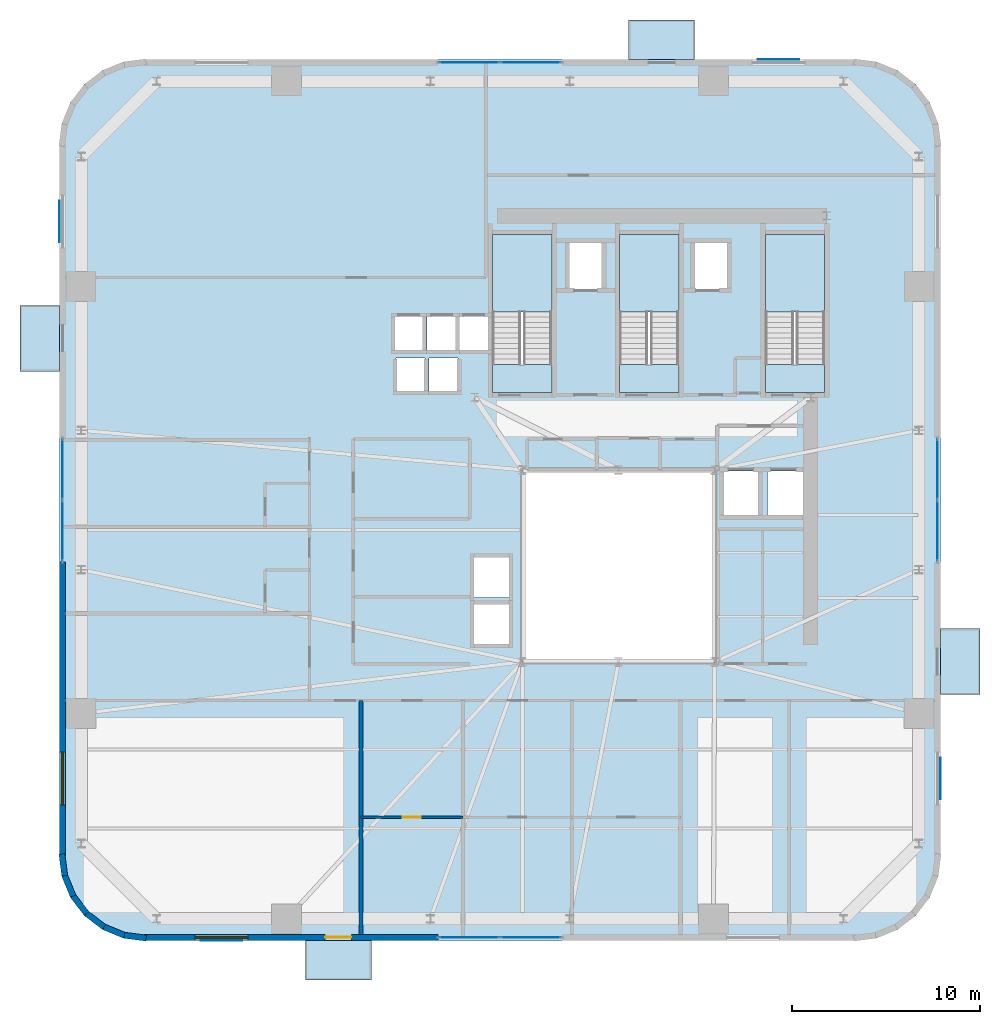
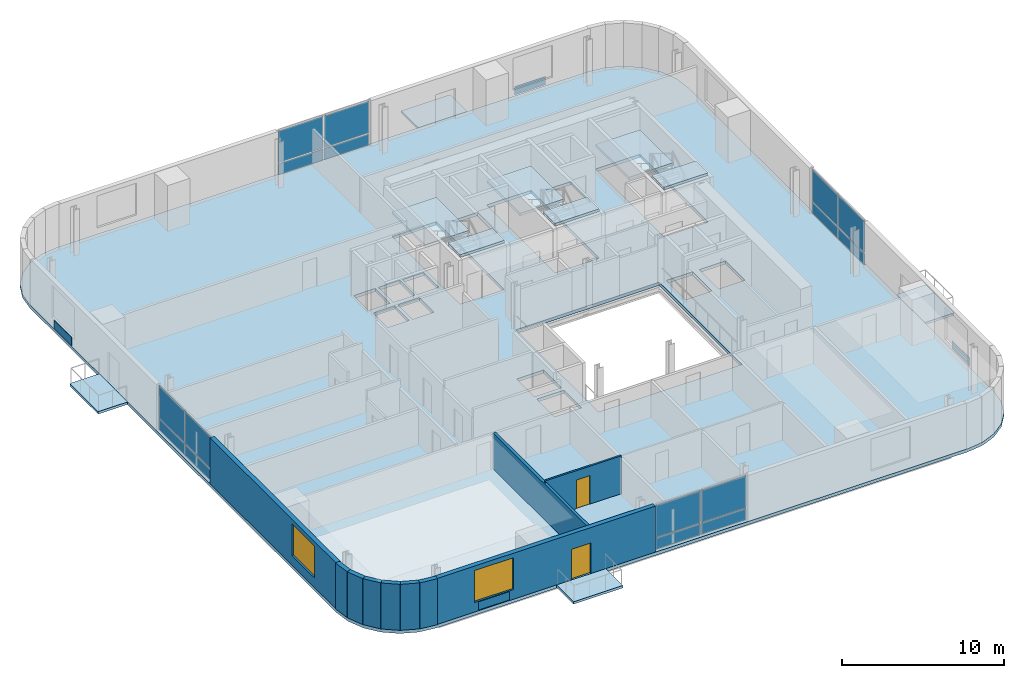
# One storey, part 5 of 14: 20 plates, 11 slabs, 10 walls, 2 doors, 2 windows, 4 openings, 7 elements without a shape of their own.
"""IFC4 building model written with IfcOpenShell, lengths in metres."""

from ifc_helpers import new_model, si_unit, direction, frame, frame_2d, origin, origin_2d, place, context, subcontext, project, spatial, polyline, rectangle, outline, extrude, source, transform, mapped, material, layer, layer_set, type_object, element, fill, aggregate, save


model = new_model("IFC4")

# Units and contexts
model_context = context("Model", 3, precision=1e-05, world=origin(), true_north=direction((0.0, 1.0)))
body_context = subcontext(model_context, "Body", "Model", "MODEL_VIEW")
ifc_project = project(units=[si_unit("LENGTHUNIT", "METRE"), si_unit("AREAUNIT", "SQUARE_METRE"), si_unit("VOLUMEUNIT", "CUBIC_METRE"), si_unit("PLANEANGLEUNIT", "RADIAN"), si_unit("MASSUNIT", "GRAM", prefix="KILO")], contexts=[model_context])

# Site, building, storey
site_placement = place(None, origin())
site = spatial("IfcSite", under=ifc_project, at=site_placement, CompositionType="ELEMENT")
building_placement = place(site_placement, origin())
building = spatial("IfcBuilding", under=site, at=building_placement, Name="Vardaveli Station Tower", CompositionType="ELEMENT")
storey_placement = place(building_placement, frame((0.0, 0.0, 148.300048828125)))
storey = spatial("IfcBuildingStorey", under=building, at=storey_placement, Name="L38", CompositionType="ELEMENT", Elevation=148.300048828125)

# Stair, slabs
ifc_material_1 = material(Name="Concrete C40/50", Category="concrete")
stair_type = type_object("IfcStairType", Name="STR-CORE-1500", PredefinedType="HALF_TURN_STAIR", material=ifc_material_1)
stair_1_placement = place(storey_placement, origin())
stair_1 = element("IfcStair", 1, at=stair_1_placement, inside=storey, type_object=stair_type, Name="L38 ST-1", PredefinedType="HALF_TURN_STAIR")
ifc_layer_1 = layer(ifc_material_1, 0.199951171875, Name="Concrete C40/50")
ifc_layer_set_1 = layer_set([ifc_layer_1], Name="Concrete C40/50")
slab_type_1 = type_object("IfcSlabType", Name="SLB-LAND-200", PredefinedType="LANDING", material=ifc_layer_set_1)
slab_1_placement = place(storey_placement, frame((0.0, 0.0, 1.64990234375)))
slab_1 = element("IfcSlab", 2, at=slab_1_placement, type_object=slab_type_1, Name="ST-1 landing 1", PredefinedType="LANDING", context=body_context, shape_type="SweptSolid", body=[
    extrude(outline(polyline([(32.75, 35.199951171875), (32.75, 39.300048828125), (29.60009765625, 39.300048828125), (29.60009765625, 35.199951171875), (32.75, 35.199951171875)])), origin(), (0.0, 0.0, 1.0), 0.199951171875),
])
slab_2_placement = place(storey_placement, frame((0.0, 0.0, 3.5)))
slab_2 = element("IfcSlab", 3, at=slab_2_placement, type_object=slab_type_1, Name="ST-1 landing 2", PredefinedType="LANDING", context=body_context, shape_type="SweptSolid", body=[
    extrude(outline(polyline([(32.75, 30.89990234375), (32.75, 32.39990234375), (29.60009765625, 32.39990234375), (29.60009765625, 30.89990234375), (32.75, 30.89990234375)])), origin(), (0.0, 0.0, 1.0), 0.199951171875),
])
aggregate(stair_1, [slab_1, slab_2])

stair_2_placement = place(storey_placement, origin())
stair_2 = element("IfcStair", 4, at=stair_2_placement, inside=storey, type_object=stair_type, Name="L38 ST-2", PredefinedType="HALF_TURN_STAIR")
slab_3_placement = place(storey_placement, frame((0.0, 0.0, 1.64990234375)))
slab_3 = element("IfcSlab", 5, at=slab_3_placement, type_object=slab_type_1, Name="ST-2 landing 1", PredefinedType="LANDING", context=body_context, shape_type="SweptSolid", body=[
    extrude(outline(polyline([(39.5, 35.199951171875), (39.5, 39.300048828125), (36.35009765625, 39.300048828125), (36.35009765625, 35.199951171875), (39.5, 35.199951171875)])), origin(), (0.0, 0.0, 1.0), 0.199951171875),
])
slab_4_placement = place(storey_placement, frame((0.0, 0.0, 3.5)))
slab_4 = element("IfcSlab", 6, at=slab_4_placement, type_object=slab_type_1, Name="ST-2 landing 2", PredefinedType="LANDING", context=body_context, shape_type="SweptSolid", body=[
    extrude(outline(polyline([(39.5, 30.89990234375), (39.5, 32.39990234375), (36.35009765625, 32.39990234375), (36.35009765625, 30.89990234375), (39.5, 30.89990234375)])), origin(), (0.0, 0.0, 1.0), 0.199951171875),
])
aggregate(stair_2, [slab_3, slab_4])

stair_3_placement = place(storey_placement, origin())
stair_3 = element("IfcStair", 7, at=stair_3_placement, inside=storey, type_object=stair_type, Name="L38 ST-3", PredefinedType="HALF_TURN_STAIR")
slab_5_placement = place(storey_placement, frame((0.0, 0.0, 1.64990234375)))
slab_5 = element("IfcSlab", 8, at=slab_5_placement, type_object=slab_type_1, Name="ST-3 landing 1", PredefinedType="LANDING", context=body_context, shape_type="SweptSolid", body=[
    extrude(outline(polyline([(47.25, 35.199951171875), (47.25, 39.300048828125), (44.10009765625, 39.300048828125), (44.10009765625, 35.199951171875), (47.25, 35.199951171875)])), origin(), (0.0, 0.0, 1.0), 0.199951171875),
])
slab_6_placement = place(storey_placement, frame((0.0, 0.0, 3.5)))
slab_6 = element("IfcSlab", 9, at=slab_6_placement, type_object=slab_type_1, Name="ST-3 landing 2", PredefinedType="LANDING", context=body_context, shape_type="SweptSolid", body=[
    extrude(outline(polyline([(47.25, 30.89990234375), (47.25, 32.39990234375), (44.10009765625, 32.39990234375), (44.10009765625, 30.89990234375), (47.25, 30.89990234375)])), origin(), (0.0, 0.0, 1.0), 0.199951171875),
])
aggregate(stair_3, [slab_5, slab_6])

# Slabs
ifc_material_2 = material(Name="Precast concrete C45/55", Category="concrete")
ifc_layer_2 = layer(ifc_material_2, 0.179931640625, Name="Precast concrete C45/55")
ifc_layer_set_2 = layer_set([ifc_layer_2], Name="Precast concrete C45/55")
slab_type_2 = type_object("IfcSlabType", Name="SLB-LOGGIA-180", PredefinedType="FLOOR", material=ifc_layer_set_2)
slab_7_placement = place(storey_placement, frame((0.0, 0.0, -0.179931640625)))
element("IfcSlab", 10, at=slab_7_placement, inside=storey, type_object=slab_type_2, Name="LOG-L38-S", PredefinedType="FLOOR", context=body_context, shape_type="SweptSolid", body=[
    extrude(outline(polyline([(19.660400390625, -0.300048828125), (23.160400390625, -0.300048828125), (23.160400390625, 1.800048828125), (19.660400390625, 1.800048828125), (19.660400390625, -0.300048828125)])), origin(), (0.0, 0.0, 1.0), 0.179931640625),
])
slab_8_placement = place(storey_placement, frame((0.0, 0.0, -0.179931640625)))
element("IfcSlab", 11, at=slab_8_placement, inside=storey, type_object=slab_type_2, Name="LOG-L38-N", PredefinedType="FLOOR", context=body_context, shape_type="SweptSolid", body=[
    extrude(outline(polyline([(36.839599609375, 48.60009765625), (40.339599609375, 48.60009765625), (40.339599609375, 50.699951171875), (36.839599609375, 50.699951171875), (36.839599609375, 48.60009765625)])), origin(), (0.0, 0.0, 1.0), 0.179931640625),
])
slab_9_placement = place(storey_placement, frame((0.0, 0.0, -0.179931640625)))
element("IfcSlab", 12, at=slab_9_placement, inside=storey, type_object=slab_type_2, Name="LOG-L38-W", PredefinedType="FLOOR", context=body_context, shape_type="SweptSolid", body=[
    extrude(outline(polyline([(4.5, 32.03955078125), (6.60009765625, 32.03955078125), (6.60009765625, 35.53955078125), (4.5, 35.53955078125), (4.5, 32.03955078125)])), origin(), (0.0, 0.0, 1.0), 0.179931640625),
])
slab_10_placement = place(storey_placement, frame((0.0, 0.0, -0.179931640625)))
element("IfcSlab", 13, at=slab_10_placement, inside=storey, type_object=slab_type_2, Name="LOG-L38-E", PredefinedType="FLOOR", context=body_context, shape_type="SweptSolid", body=[
    extrude(outline(polyline([(53.39990234375, 14.8603515625), (55.5, 14.8603515625), (55.5, 18.3603515625), (53.39990234375, 18.3603515625), (53.39990234375, 14.8603515625)])), origin(), (0.0, 0.0, 1.0), 0.179931640625),
])
ifc_layer_3 = layer(ifc_material_1, 0.239990234375, Name="Concrete C40/50")
ifc_layer_set_3 = layer_set([ifc_layer_3], Name="Concrete C40/50")
slab_type_3 = type_object("IfcSlabType", Name="SLB-TOW-240", PredefinedType="FLOOR", material=ifc_layer_set_3)
slab_11_placement = place(storey_placement, frame((0.0, 0.0, -0.239990234375)))
element("IfcSlab", 14, at=slab_11_placement, inside=storey, type_object=slab_type_3, Name="SLB-L38-MAIN", PredefinedType="FLOOR", context=body_context, shape_type="SweptSolid", body=[
    extrude(outline(polyline([(6.60009765625, 6.300048828125), (6.75341796875, 5.13525390625), (7.202880859375, 4.050048828125), (7.91796875, 3.117919921875), (8.85009765625, 2.40283203125), (9.935302734375, 1.953369140625), (11.10009765625, 1.800048828125), (48.89990234375, 1.800048828125), (50.064697265625, 1.953369140625), (51.14990234375, 2.40283203125), (52.08203125, 3.117919921875), (52.797119140625, 4.050048828125), (53.24658203125, 5.13525390625), (53.39990234375, 6.300048828125), (53.39990234375, 44.10009765625), (53.24658203125, 45.2646484375), (52.797119140625, 46.35009765625), (52.08203125, 47.281982421875), (51.14990234375, 47.9970703125), (50.064697265625, 48.44677734375), (48.89990234375, 48.60009765625), (11.10009765625, 48.60009765625), (9.935302734375, 48.44677734375), (8.85009765625, 47.9970703125), (7.91796875, 47.281982421875), (7.202880859375, 46.35009765625), (6.75341796875, 45.2646484375), (6.60009765625, 44.10009765625), (6.60009765625, 6.300048828125)]), holes=[polyline([(31.199951171875, 16.60009765625), (41.39990234375, 16.60009765625), (41.39990234375, 26.800048828125), (31.199951171875, 26.800048828125), (31.199951171875, 16.60009765625)]), polyline([(32.75, 30.89990234375), (32.75, 39.300048828125), (29.60009765625, 39.300048828125), (29.60009765625, 30.89990234375), (32.75, 30.89990234375)]), polyline([(39.5, 30.89990234375), (39.5, 39.300048828125), (36.35009765625, 39.300048828125), (36.35009765625, 30.89990234375), (39.5, 30.89990234375)]), polyline([(47.25, 30.89990234375), (47.25, 39.300048828125), (44.10009765625, 39.300048828125), (44.10009765625, 30.89990234375), (47.25, 30.89990234375)]), polyline([(24.385009765625, 33.135009765625), (25.9150390625, 33.135009765625), (25.9150390625, 34.965087890625), (24.385009765625, 34.965087890625), (24.385009765625, 33.135009765625)]), polyline([(26.135009765625, 33.135009765625), (27.6650390625, 33.135009765625), (27.6650390625, 34.965087890625), (26.135009765625, 34.965087890625), (26.135009765625, 33.135009765625)]), polyline([(27.8349609375, 33.135009765625), (29.364990234375, 33.135009765625), (29.364990234375, 34.965087890625), (27.8349609375, 34.965087890625), (27.8349609375, 33.135009765625)]), polyline([(33.659912109375, 36.409912109375), (35.43994140625, 36.409912109375), (35.43994140625, 38.889892578125), (33.659912109375, 38.889892578125), (33.659912109375, 36.409912109375)]), polyline([(40.31005859375, 36.409912109375), (42.090087890625, 36.409912109375), (42.090087890625, 38.889892578125), (40.31005859375, 38.889892578125), (40.31005859375, 36.409912109375)]), polyline([(24.485107421875, 30.9599609375), (26.014892578125, 30.9599609375), (26.014892578125, 32.739990234375), (24.485107421875, 32.739990234375), (24.485107421875, 30.9599609375)]), polyline([(26.235107421875, 30.9599609375), (27.764892578125, 30.9599609375), (27.764892578125, 32.739990234375), (26.235107421875, 32.739990234375), (26.235107421875, 30.9599609375)]), polyline([(28.5849609375, 17.510009765625), (30.514892578125, 17.510009765625), (30.514892578125, 19.68994140625), (28.5849609375, 19.68994140625), (28.5849609375, 17.510009765625)]), polyline([(28.5849609375, 20.010009765625), (30.514892578125, 20.010009765625), (30.514892578125, 22.18994140625), (28.5849609375, 22.18994140625), (28.5849609375, 20.010009765625)]), polyline([(41.860107421875, 24.360107421875), (43.739990234375, 24.360107421875), (43.739990234375, 26.739990234375), (41.860107421875, 26.739990234375), (41.860107421875, 24.360107421875)]), polyline([(44.2099609375, 24.360107421875), (46.090087890625, 24.360107421875), (46.090087890625, 26.739990234375), (44.2099609375, 26.739990234375), (44.2099609375, 24.360107421875)])]), origin(), (0.0, 0.0, 1.0), 0.239990234375),
])

# Curtain wall, plates
ifc_material_3 = material(Name="Travertine stone and solar-control glass", Category="masonry")
curtain_wall_type = type_object("IfcCurtainWallType", Name="CW-SYS-2", PredefinedType="NOTDEFINED", material=ifc_material_3)
curtain_wall_1_placement = place(storey_placement, origin())
curtain_wall_1 = element("IfcCurtainWall", 15, at=curtain_wall_1_placement, inside=storey, type_object=curtain_wall_type, Name="CW-L38-S", PredefinedType="NOTDEFINED")
ifc_material_4 = material(Name="Double-glazed low-E solar-control glass", Category="glass")
ifc_layer_4 = layer(ifc_material_4, 0.035888671875, Name="Double-glazed low-E solar-control glass")
ifc_layer_set_4 = layer_set([ifc_layer_4], Name="Double-glazed low-E solar-control glass")
plate_type_1 = type_object("IfcPlateType", Name="CW-SYS-2-PAN", PredefinedType="CURTAIN_PANEL", material=ifc_layer_set_4)
shared_shape_1 = source(origin(), body_context, "Body", "SweptSolid", [
    extrude(rectangle(XDim=3.172607421875, YDim=0.035888671875, at=origin_2d()), origin(), (0.0, 0.0, 1.0), 0.822509765625),
])
plate_1_placement = place(storey_placement, frame((28.371337890625, 1.9599609375, 0.0849609375), z_axis=(0.0, 0.0, 1.0), x_axis=(1.0, 0.0, 0.0)))
plate_1 = element("IfcPlate", 16, at=plate_1_placement, type_object=plate_type_1, Name="CW-2 panel 1.1", PredefinedType="CURTAIN_PANEL", context=body_context, shape_type="MappedRepresentation", body=[
    mapped(shared_shape_1, transform((0.0, 0.0, 0.0), scale=1.0)),
])
plate_2_placement = place(storey_placement, frame((31.628662109375, 1.9599609375, 0.0849609375), z_axis=(0.0, 0.0, 1.0), x_axis=(1.0, 0.0, 0.0)))
plate_2 = element("IfcPlate", 17, at=plate_2_placement, type_object=plate_type_1, Name="CW-2 panel 2.1", PredefinedType="CURTAIN_PANEL", context=body_context, shape_type="MappedRepresentation", body=[
    mapped(shared_shape_1, transform((0.0, 0.0, 0.0), scale=1.0)),
])

curtain_wall_2_placement = place(storey_placement, origin())
curtain_wall_2 = element("IfcCurtainWall", 18, at=curtain_wall_2_placement, inside=storey, type_object=curtain_wall_type, Name="CW-L38-N", PredefinedType="NOTDEFINED")
plate_3_placement = place(storey_placement, frame((31.628662109375, 48.43994140625, 0.0849609375), z_axis=(0.0, 0.0, 1.0), x_axis=(-1.0, 0.0, 0.0)))
plate_3 = element("IfcPlate", 19, at=plate_3_placement, type_object=plate_type_1, Name="CW-2 panel 1.1", PredefinedType="CURTAIN_PANEL", context=body_context, shape_type="MappedRepresentation", body=[
    mapped(shared_shape_1, transform((0.0, 0.0, 0.0), scale=1.0)),
])
plate_4_placement = place(storey_placement, frame((28.371337890625, 48.43994140625, 0.0849609375), z_axis=(0.0, 0.0, 1.0), x_axis=(-1.0, 0.0, 0.0)))
plate_4 = element("IfcPlate", 20, at=plate_4_placement, type_object=plate_type_1, Name="CW-2 panel 2.1", PredefinedType="CURTAIN_PANEL", context=body_context, shape_type="MappedRepresentation", body=[
    mapped(shared_shape_1, transform((0.0, 0.0, 0.0), scale=1.0)),
])

curtain_wall_3_placement = place(storey_placement, origin())
curtain_wall_3 = element("IfcCurtainWall", 21, at=curtain_wall_3_placement, inside=storey, type_object=curtain_wall_type, Name="CW-L38-W", PredefinedType="NOTDEFINED")
plate_5_placement = place(storey_placement, frame((6.760009765625, 26.828857421875, 0.0849609375), z_axis=(0.0, 0.0, 1.0), x_axis=(0.0, -1.0, 0.0)))
plate_5 = element("IfcPlate", 22, at=plate_5_placement, type_object=plate_type_1, Name="CW-2 panel 1.1", PredefinedType="CURTAIN_PANEL", context=body_context, shape_type="MappedRepresentation", body=[
    mapped(shared_shape_1, transform((0.0, 0.0, 0.0), scale=1.0)),
])
plate_6_placement = place(storey_placement, frame((6.760009765625, 23.5712890625, 0.0849609375), z_axis=(0.0, 0.0, 1.0), x_axis=(0.0, -1.0, 0.0)))
plate_6 = element("IfcPlate", 23, at=plate_6_placement, type_object=plate_type_1, Name="CW-2 panel 2.1", PredefinedType="CURTAIN_PANEL", context=body_context, shape_type="MappedRepresentation", body=[
    mapped(shared_shape_1, transform((0.0, 0.0, 0.0), scale=1.0)),
])

curtain_wall_4_placement = place(storey_placement, origin())
curtain_wall_4 = element("IfcCurtainWall", 24, at=curtain_wall_4_placement, inside=storey, type_object=curtain_wall_type, Name="CW-L38-E", PredefinedType="NOTDEFINED")
plate_7_placement = place(storey_placement, frame((53.239990234375, 23.5712890625, 0.0849609375), z_axis=(0.0, 0.0, 1.0), x_axis=(0.0, 1.0, 0.0)))
plate_7 = element("IfcPlate", 25, at=plate_7_placement, type_object=plate_type_1, Name="CW-2 panel 1.1", PredefinedType="CURTAIN_PANEL", context=body_context, shape_type="MappedRepresentation", body=[
    mapped(shared_shape_1, transform((0.0, 0.0, 0.0), scale=1.0)),
])
plate_8_placement = place(storey_placement, frame((53.239990234375, 26.828857421875, 0.0849609375), z_axis=(0.0, 0.0, 1.0), x_axis=(0.0, 1.0, 0.0)))
plate_8 = element("IfcPlate", 26, at=plate_8_placement, type_object=plate_type_1, Name="CW-2 panel 2.1", PredefinedType="CURTAIN_PANEL", context=body_context, shape_type="MappedRepresentation", body=[
    mapped(shared_shape_1, transform((0.0, 0.0, 0.0), scale=1.0)),
])

# Plates
ifc_material_5 = material(Name="Honed Caucasian travertine stone", Category="masonry")
ifc_layer_5 = layer(ifc_material_5, 0.034912109375, Name="Honed Caucasian travertine stone")
ifc_layer_set_5 = layer_set([ifc_layer_5], Name="Honed Caucasian travertine stone")
plate_type_2 = type_object("IfcPlateType", Name="PLT-TRAV-35", PredefinedType="SHEET", material=ifc_layer_set_5)
shared_shape_2 = source(origin(), body_context, "Body", "SweptSolid", [
    extrude(rectangle(XDim=2.199951171875, YDim=0.034912109375, at=origin_2d()), origin(), (0.0, 0.0, 1.0), 0.6201171875),
])
for number, where, z_axis, x_axis, name in (
    (27, (15.205078125, 1.79052734375, 0.06982421875), (0.0, 0.0, 1.0), (1.0, 0.0, 0.0), "PLT-TR-L38-S"),
    (28, (44.794921875, 48.609619140625, 0.06982421875), (0.0, 0.0, 1.0), (1.0, 0.0, 0.0), "PLT-TR-L38-N"),
    (29, (6.590576171875, 39.9951171875, 0.06982421875), (0.0, 0.0, 1.0), (0.0, 1.0, 0.0), "PLT-TR-L38-W"),
    (30, (53.409423828125, 10.405029296875, 0.06982421875), (0.0, 0.0, 1.0), (0.0, 1.0, 0.0), "PLT-TR-L38-E"),
):
    element("IfcPlate", number, at=place(storey_placement, frame(where, z_axis=z_axis, x_axis=x_axis)), inside=storey, type_object=plate_type_2, Name=name, PredefinedType="SHEET", context=body_context, shape_type="MappedRepresentation", body=[
        mapped(shared_shape_2, transform((0.0, 0.0, 0.0), scale=1.0)),
    ])

# Plate
shared_shape_3 = source(origin(), body_context, "Body", "SweptSolid", [
    extrude(rectangle(XDim=3.172607421875, YDim=0.035888671875, at=origin_2d()), origin(), (0.0, 0.0, 1.0), 2.382568359375),
])
plate_9_placement = place(storey_placement, frame((28.371337890625, 1.9599609375, 0.9921875), z_axis=(0.0, 0.0, 1.0), x_axis=(1.0, 0.0, 0.0)))
plate_9 = element("IfcPlate", 31, at=plate_9_placement, type_object=plate_type_1, Name="CW-2 panel 1.2", PredefinedType="CURTAIN_PANEL", context=body_context, shape_type="MappedRepresentation", body=[
    mapped(shared_shape_3, transform((0.0, 0.0, 0.0), scale=1.0)),
])

plate_10_placement = place(storey_placement, frame((31.628662109375, 1.9599609375, 0.9921875), z_axis=(0.0, 0.0, 1.0), x_axis=(1.0, 0.0, 0.0)))
plate_10 = element("IfcPlate", 32, at=plate_10_placement, type_object=plate_type_1, Name="CW-2 panel 2.2", PredefinedType="CURTAIN_PANEL", context=body_context, shape_type="MappedRepresentation", body=[
    mapped(shared_shape_3, transform((0.0, 0.0, 0.0), scale=1.0)),
])

aggregate(curtain_wall_1, [plate_1, plate_9, plate_2, plate_10])

plate_11_placement = place(storey_placement, frame((31.628662109375, 48.43994140625, 0.9921875), z_axis=(0.0, 0.0, 1.0), x_axis=(-1.0, 0.0, 0.0)))
plate_11 = element("IfcPlate", 33, at=plate_11_placement, type_object=plate_type_1, Name="CW-2 panel 1.2", PredefinedType="CURTAIN_PANEL", context=body_context, shape_type="MappedRepresentation", body=[
    mapped(shared_shape_3, transform((0.0, 0.0, 0.0), scale=1.0)),
])

plate_12_placement = place(storey_placement, frame((28.371337890625, 48.43994140625, 0.9921875), z_axis=(0.0, 0.0, 1.0), x_axis=(-1.0, 0.0, 0.0)))
plate_12 = element("IfcPlate", 34, at=plate_12_placement, type_object=plate_type_1, Name="CW-2 panel 2.2", PredefinedType="CURTAIN_PANEL", context=body_context, shape_type="MappedRepresentation", body=[
    mapped(shared_shape_3, transform((0.0, 0.0, 0.0), scale=1.0)),
])

aggregate(curtain_wall_2, [plate_3, plate_11, plate_4, plate_12])

plate_13_placement = place(storey_placement, frame((6.760009765625, 26.828857421875, 0.9921875), z_axis=(0.0, 0.0, 1.0), x_axis=(0.0, -1.0, 0.0)))
plate_13 = element("IfcPlate", 35, at=plate_13_placement, type_object=plate_type_1, Name="CW-2 panel 1.2", PredefinedType="CURTAIN_PANEL", context=body_context, shape_type="MappedRepresentation", body=[
    mapped(shared_shape_3, transform((0.0, 0.0, 0.0), scale=1.0)),
])

plate_14_placement = place(storey_placement, frame((6.760009765625, 23.5712890625, 0.9921875), z_axis=(0.0, 0.0, 1.0), x_axis=(0.0, -1.0, 0.0)))
plate_14 = element("IfcPlate", 36, at=plate_14_placement, type_object=plate_type_1, Name="CW-2 panel 2.2", PredefinedType="CURTAIN_PANEL", context=body_context, shape_type="MappedRepresentation", body=[
    mapped(shared_shape_3, transform((0.0, 0.0, 0.0), scale=1.0)),
])

aggregate(curtain_wall_3, [plate_5, plate_13, plate_6, plate_14])

plate_15_placement = place(storey_placement, frame((53.239990234375, 23.5712890625, 0.9921875), z_axis=(0.0, 0.0, 1.0), x_axis=(0.0, 1.0, 0.0)))
plate_15 = element("IfcPlate", 37, at=plate_15_placement, type_object=plate_type_1, Name="CW-2 panel 1.2", PredefinedType="CURTAIN_PANEL", context=body_context, shape_type="MappedRepresentation", body=[
    mapped(shared_shape_3, transform((0.0, 0.0, 0.0), scale=1.0)),
])

plate_16_placement = place(storey_placement, frame((53.239990234375, 26.828857421875, 0.9921875), z_axis=(0.0, 0.0, 1.0), x_axis=(0.0, 1.0, 0.0)))
plate_16 = element("IfcPlate", 38, at=plate_16_placement, type_object=plate_type_1, Name="CW-2 panel 2.2", PredefinedType="CURTAIN_PANEL", context=body_context, shape_type="MappedRepresentation", body=[
    mapped(shared_shape_3, transform((0.0, 0.0, 0.0), scale=1.0)),
])

aggregate(curtain_wall_4, [plate_7, plate_15, plate_8, plate_16])

# Wall, openings, door, window
ifc_layer_6 = layer(ifc_material_2, 0.320068359375, Name="Precast concrete C45/55")
ifc_layer_set_6 = layer_set([ifc_layer_6], Name="Precast concrete C45/55")
wall_type_1 = type_object("IfcWallType", Name="WAL-EXT-STONE-320", PredefinedType="SOLIDWALL", material=ifc_layer_set_6)
shared_shape_4 = source(origin(), body_context, "Body", "SweptSolid", [
    extrude(rectangle(XDim=15.599853515625, YDim=0.320068359375, at=frame_2d((7.7998046875, 0.0))), origin(), (0.0, 0.0, 1.0), 3.4599609375),
])
wall_1_placement = place(storey_placement, frame((11.10009765625, 1.9599609375, 0.0), z_axis=(0.0, 0.0, 1.0), x_axis=(1.0, 0.0, 0.0)))
wall_1 = element("IfcWall", 39, at=wall_1_placement, inside=storey, type_object=wall_type_1, Name="EW-L38-S1", PredefinedType="SOLIDWALL", context=body_context, shape_type="MappedRepresentation", body=[
    mapped(shared_shape_4, transform((0.0, 0.0, 0.0), scale=1.0)),
])
shared_shape_5 = source(origin(), body_context, "Body", "SweptSolid", [
    extrude(rectangle(XDim=1.39990234375, YDim=2.300048828125, at=frame_2d((0.699951171875, 1.14990234375))), frame((0.0, 0.169921875, 0.0), z_axis=(0.0, -1.0, 0.0), x_axis=(1.0, 0.0, 0.0)), (0.0, 0.0, 1.0), 0.340087890625),
])
opening_1_placement = place(wall_1_placement, frame((9.6103515625, 0.0, 0.0)))
opening_1 = element("IfcOpeningElement", 40, at=opening_1_placement, cuts=wall_1, Name="Opening D-09", PredefinedType="OPENING", context=body_context, shape_type="MappedRepresentation", body=[
    mapped(shared_shape_5, transform((0.0, 0.0, 0.0), scale=1.0)),
])
shared_shape_6 = source(origin(), body_context, "Body", "SweptSolid", [
    extrude(rectangle(XDim=2.800048828125, YDim=2.39990234375, at=frame_2d((1.39990234375, 1.199951171875))), frame((0.0, 0.169921875, 0.0), z_axis=(0.0, -1.0, 0.0), x_axis=(1.0, 0.0, 0.0)), (0.0, 0.0, 1.0), 0.340087890625),
])
opening_2_placement = place(wall_1_placement, frame((2.705078125, 0.0, 0.719970703125)))
opening_2 = element("IfcOpeningElement", 41, at=opening_2_placement, cuts=wall_1, Name="Opening W-04", PredefinedType="OPENING", context=body_context, shape_type="MappedRepresentation", body=[
    mapped(shared_shape_6, transform((0.0, 0.0, 0.0), scale=1.0)),
])
ifc_material_6 = material(Name="Thermally broken aluminium glass", Category="aluminium")
door_type_1 = type_object("IfcDoorType", Name="DR-LOG-1400x2300", OperationType="DOUBLE_DOOR_SLIDING", PredefinedType="DOOR", material=ifc_material_6)
shared_shape_7 = source(origin(), body_context, "Body", "SweptSolid", [
    extrude(rectangle(XDim=1.39990234375, YDim=2.300048828125, at=frame_2d((0.699951171875, 1.14990234375))), frame((0.0, 0.02490234375, 0.0), z_axis=(0.0, -1.0, 0.0), x_axis=(1.0, 0.0, 0.0)), (0.0, 0.0, 1.0), 0.050048828125),
])
door_1_placement = place(opening_1_placement, frame((1.39990234375, 0.0, 0.0), z_axis=(0.0, 0.0, 1.0), x_axis=(-1.0, 0.0, 0.0)))
door_1 = element("IfcDoor", 42, at=door_1_placement, inside=storey, type_object=door_type_1, Name="DLG-L38-S", OperationType="DOUBLE_DOOR_SLIDING", OverallHeight=2.300048828125, OverallWidth=1.39990234375, PredefinedType="DOOR", context=body_context, shape_type="MappedRepresentation", body=[
    mapped(shared_shape_7, transform((0.0, 0.0, 0.0), scale=1.0)),
])
fill(opening_1, door_1)
ifc_material_7 = material(Name="Low-E solar-control glass", Category="glass")
window_type = type_object("IfcWindowType", Name="WIN-SUITE-2800x2400", PartitioningType="SINGLE_PANEL", PredefinedType="WINDOW", material=ifc_material_7)
shared_shape_8 = source(origin(), body_context, "Body", "SweptSolid", [
    extrude(rectangle(XDim=2.800048828125, YDim=2.39990234375, at=frame_2d((1.39990234375, 1.199951171875))), frame((0.0, 0.030029296875, 0.0), z_axis=(0.0, -1.0, 0.0), x_axis=(1.0, 0.0, 0.0)), (0.0, 0.0, 1.0), 0.06005859375),
])
window_1_placement = place(opening_2_placement, origin())
window_1 = element("IfcWindow", 43, at=window_1_placement, inside=storey, type_object=window_type, Name="WN-L38-S1", OverallHeight=2.39990234375, OverallWidth=2.800048828125, PartitioningType="SINGLE_PANEL", PredefinedType="WINDOW", context=body_context, shape_type="MappedRepresentation", body=[
    mapped(shared_shape_8, transform((0.0, 0.0, 0.0), scale=1.0)),
])
fill(opening_2, window_1)

# Wall, opening, window
wall_2_placement = place(storey_placement, frame((6.760009765625, 21.89990234375, 0.0), z_axis=(0.0, 0.0, 1.0), x_axis=(0.0, -1.0, 0.0)))
wall_2 = element("IfcWall", 44, at=wall_2_placement, inside=storey, type_object=wall_type_1, Name="EW-L38-W2", PredefinedType="SOLIDWALL", context=body_context, shape_type="MappedRepresentation", body=[
    mapped(shared_shape_4, transform((0.0, 0.0, 0.0), scale=1.0)),
])
opening_3_placement = place(wall_2_placement, frame((10.094970703125, 0.0, 0.719970703125)))
opening_3 = element("IfcOpeningElement", 45, at=opening_3_placement, cuts=wall_2, Name="Opening W-04", PredefinedType="OPENING", context=body_context, shape_type="MappedRepresentation", body=[
    mapped(shared_shape_6, transform((0.0, 0.0, 0.0), scale=1.0)),
])
window_2_placement = place(opening_3_placement, origin())
window_2 = element("IfcWindow", 46, at=window_2_placement, inside=storey, type_object=window_type, Name="WN-L38-W2", OverallHeight=2.39990234375, OverallWidth=2.800048828125, PartitioningType="SINGLE_PANEL", PredefinedType="WINDOW", context=body_context, shape_type="MappedRepresentation", body=[
    mapped(shared_shape_8, transform((0.0, 0.0, 0.0), scale=1.0)),
])
fill(opening_3, window_2)

# Walls
shared_shape_9 = source(origin(), body_context, "Body", "SweptSolid", [
    extrude(rectangle(XDim=1.170654296875, YDim=0.320068359375, at=frame_2d((0.58544921875, 0.0))), origin(), (0.0, 0.0, 1.0), 3.4599609375),
])
wall_3_placement = place(storey_placement, frame((6.724365234375, 6.400634765625, 0.0), z_axis=(0.0, 0.0, 1.0), x_axis=(0.128269133229, -0.991739395941, 0.0)))
element("IfcWall", 47, at=wall_3_placement, inside=storey, type_object=wall_type_1, Name="EW-L38-CR1-1", PredefinedType="SOLIDWALL", context=body_context, shape_type="MappedRepresentation", body=[
    mapped(shared_shape_9, transform((0.0, 0.0, 0.0), scale=1.0)),
])
shared_shape_10 = source(origin(), body_context, "Body", "SweptSolid", [
    extrude(rectangle(XDim=1.1689453125, YDim=0.320068359375, at=frame_2d((0.58447265625, 0.0))), origin(), (0.0, 0.0, 1.0), 3.4599609375),
])
for number, where, z_axis, x_axis, name in (
    (48, (6.87451171875, 5.23974609375, 0.0), (0.0, 0.0, 1.0), (0.381127904695, -0.924522320046, 0.0), "EW-L38-CR1-2"),
    (49, (7.320068359375, 4.158935546875, 0.0), (0.0, 0.0, 1.0), (0.608387696831, -0.793639975269, 0.0), "EW-L38-CR1-3"),
):
    element("IfcWall", number, at=place(storey_placement, frame(where, z_axis=z_axis, x_axis=x_axis)), inside=storey, type_object=wall_type_1, Name=name, PredefinedType="SOLIDWALL", context=body_context, shape_type="MappedRepresentation", body=[
        mapped(shared_shape_10, transform((0.0, 0.0, 0.0), scale=1.0)),
    ])
shared_shape_11 = source(origin(), body_context, "Body", "SweptSolid", [
    extrude(rectangle(XDim=1.168701171875, YDim=0.320068359375, at=frame_2d((0.58447265625, 0.0))), origin(), (0.0, 0.0, 1.0), 3.4599609375),
])
wall_4_placement = place(storey_placement, frame((8.03125, 3.231201171875, 0.0), z_axis=(0.0, 0.0, 1.0), x_axis=(0.793663520347, -0.608356981114, 0.0)))
element("IfcWall", 50, at=wall_4_placement, inside=storey, type_object=wall_type_1, Name="EW-L38-CR1-4", PredefinedType="SOLIDWALL", context=body_context, shape_type="MappedRepresentation", body=[
    mapped(shared_shape_11, transform((0.0, 0.0, 0.0), scale=1.0)),
])
shared_shape_12 = source(origin(), body_context, "Body", "SweptSolid", [
    extrude(rectangle(XDim=1.16943359375, YDim=0.320068359375, at=frame_2d((0.584716796875, 0.0))), origin(), (0.0, 0.0, 1.0), 3.4599609375),
])
wall_5_placement = place(storey_placement, frame((8.958740234375, 2.520263671875, 0.0), z_axis=(0.0, 0.0, 1.0), x_axis=(0.924479075121, -0.381232789334, 0.0)))
element("IfcWall", 51, at=wall_5_placement, inside=storey, type_object=wall_type_1, Name="EW-L38-CR1-5", PredefinedType="SOLIDWALL", context=body_context, shape_type="MappedRepresentation", body=[
    mapped(shared_shape_12, transform((0.0, 0.0, 0.0), scale=1.0)),
])
shared_shape_13 = source(origin(), body_context, "Body", "SweptSolid", [
    extrude(rectangle(XDim=1.170166015625, YDim=0.320068359375, at=frame_2d((0.5849609375, 0.0))), origin(), (0.0, 0.0, 1.0), 3.4599609375),
])
wall_6_placement = place(storey_placement, frame((10.039794921875, 2.074462890625, 0.0), z_axis=(0.0, 0.0, 1.0), x_axis=(0.991762485493, -0.128090485085, 0.0)))
element("IfcWall", 52, at=wall_6_placement, inside=storey, type_object=wall_type_1, Name="EW-L38-CR1-6", PredefinedType="SOLIDWALL", context=body_context, shape_type="MappedRepresentation", body=[
    mapped(shared_shape_13, transform((0.0, 0.0, 0.0), scale=1.0)),
])
ifc_material_8 = material(Name="Acoustic twin-stud gypsum partition")
ifc_layer_7 = layer(ifc_material_8, 0.199951171875, Name="Acoustic twin-stud gypsum partition")
ifc_layer_set_7 = layer_set([ifc_layer_7], Name="Acoustic twin-stud gypsum partition")
wall_type_2 = type_object("IfcWallType", Name="WAL-PARTY-200", PredefinedType="PARTITIONING", material=ifc_layer_set_7)
shared_shape_14 = source(origin(), body_context, "Body", "SweptSolid", [
    extrude(rectangle(XDim=12.427978515625, YDim=0.199951171875, at=frame_2d((6.2138671875, 0.0))), origin(), (0.0, 0.0, 1.0), 2.701904296875),
])
wall_7_placement = place(storey_placement, frame((22.610107421875, 2.1220703125, 0.0), z_axis=(0.0, 0.0, 1.0), x_axis=(0.0, 1.0, 0.0)))
element("IfcWall", 53, at=wall_7_placement, inside=storey, type_object=wall_type_2, Name="W-L38-PS1", PredefinedType="PARTITIONING", context=body_context, shape_type="MappedRepresentation", body=[
    mapped(shared_shape_14, transform((0.0, 0.0, 0.0), scale=1.0)),
])

# Wall, opening, door
ifc_material_9 = material(Name="Gypsum board stud partition")
ifc_layer_8 = layer(ifc_material_9, 0.125, Name="Gypsum board stud partition")
ifc_layer_set_8 = layer_set([ifc_layer_8], Name="Gypsum board stud partition")
wall_type_3 = type_object("IfcWallType", Name="WAL-INT-125", PredefinedType="PARTITIONING", material=ifc_layer_set_8)
shared_shape_15 = source(origin(), body_context, "Body", "SweptSolid", [
    extrude(rectangle(XDim=5.4189453125, YDim=0.125, at=frame_2d((2.70947265625, 0.0))), origin(), (0.0, 0.0, 1.0), 2.85205078125),
])
wall_8_placement = place(storey_placement, frame((22.610107421875, 8.35009765625, 0.0), z_axis=(0.0, 0.0, 1.0), x_axis=(1.0, 0.0, 0.0)))
wall_8 = element("IfcWall", 54, at=wall_8_placement, inside=storey, type_object=wall_type_3, Name="W-L38-SCM2", PredefinedType="PARTITIONING", context=body_context, shape_type="MappedRepresentation", body=[
    mapped(shared_shape_15, transform((0.0, 0.0, 0.0), scale=1.0)),
])
shared_shape_16 = source(origin(), body_context, "Body", "SweptSolid", [
    extrude(rectangle(XDim=0.949951171875, YDim=2.14990234375, at=frame_2d((0.47509765625, 1.074951171875))), frame((0.0, 0.072509765625, 0.0), z_axis=(0.0, -1.0, 0.0), x_axis=(1.0, 0.0, 0.0)), (0.0, 0.0, 1.0), 0.14501953125),
])
opening_4_placement = place(wall_8_placement, frame((2.2294921875, 0.0, 0.0)))
opening_4 = element("IfcOpeningElement", 55, at=opening_4_placement, cuts=wall_8, Name="Opening D-11", PredefinedType="OPENING", context=body_context, shape_type="MappedRepresentation", body=[
    mapped(shared_shape_16, transform((0.0, 0.0, 0.0), scale=1.0)),
])
ifc_material_10 = material(Name="Oak veneer internal suite door")
door_type_2 = type_object("IfcDoorType", Name="DR-INT-950x2150", OperationType="NOTDEFINED", PredefinedType="DOOR", material=ifc_material_10)
shared_shape_17 = source(origin(), body_context, "Body", "SweptSolid", [
    extrude(rectangle(XDim=0.949951171875, YDim=2.14990234375, at=frame_2d((0.47509765625, 1.074951171875))), frame((0.0, 0.02490234375, 0.0), z_axis=(0.0, -1.0, 0.0), x_axis=(1.0, 0.0, 0.0)), (0.0, 0.0, 1.0), 0.050048828125),
])
door_2_placement = place(opening_4_placement, origin())
door_2 = element("IfcDoor", 56, at=door_2_placement, inside=storey, type_object=door_type_2, Name="D-L38-SCF2", OperationType="SINGLE_SWING_LEFT", OverallHeight=2.14990234375, OverallWidth=0.949951171875, PredefinedType="DOOR", context=body_context, shape_type="MappedRepresentation", body=[
    mapped(shared_shape_17, transform((0.0, 0.0, 0.0), scale=1.0)),
])
fill(opening_4, door_2)

save(model, "model.ifc")
